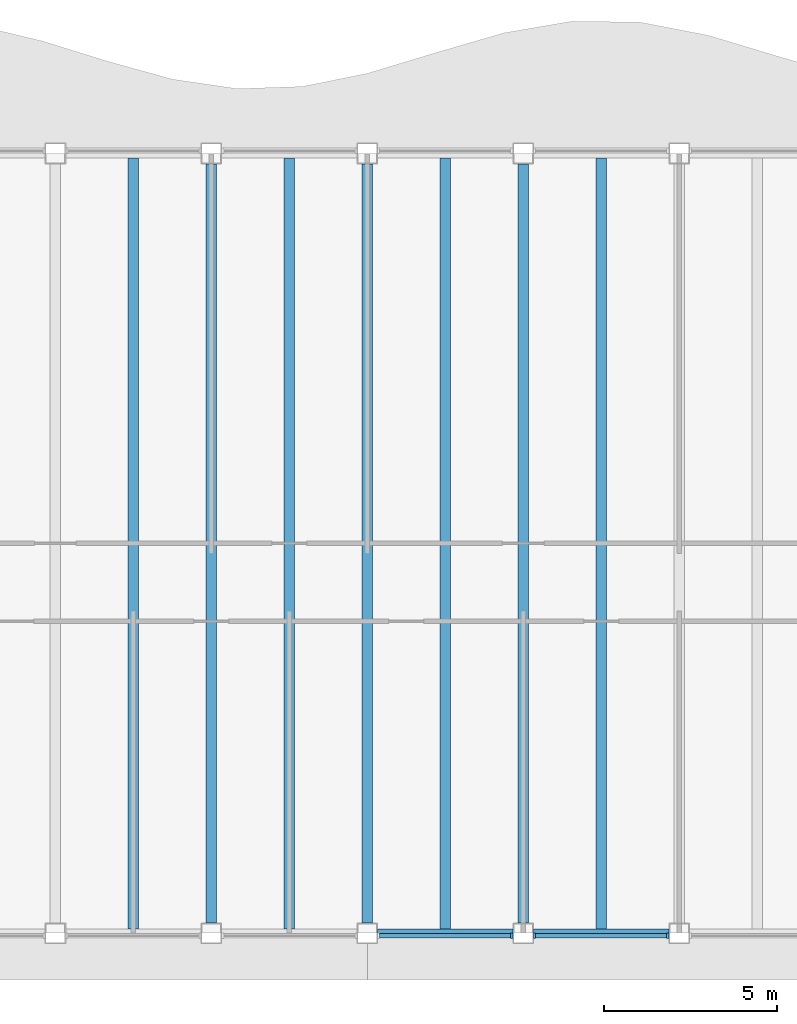
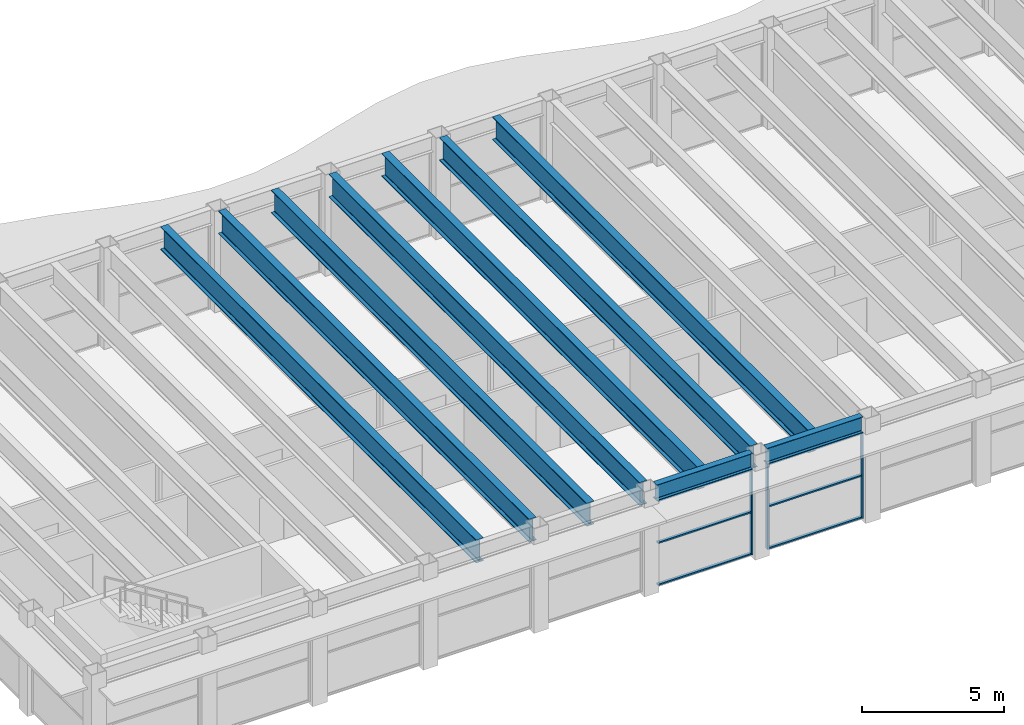
# One storey, part 3 of 14: 9 beams, 9 members, 2 elements without a shape of their own.
"""IFC4 building model written with IfcOpenShell, lengths in metres."""

from ifc_helpers import new_model, si_unit, direction, frame, origin, origin_2d, place, context, subcontext, project, spatial, rectangle, i_section, extrude, material, material_profile, profile_set, type_object, element, aggregate, save


model = new_model("IFC4")

# Units and contexts
model_context = context("Model", 3, precision=1e-05, world=origin(), true_north=direction((0.0, 1.0)))
body_context = subcontext(model_context, "Body", "Model", "MODEL_VIEW")
ifc_project = project(units=[si_unit("LENGTHUNIT", "METRE"), si_unit("AREAUNIT", "SQUARE_METRE"), si_unit("VOLUMEUNIT", "CUBIC_METRE"), si_unit("PLANEANGLEUNIT", "RADIAN"), si_unit("MASSUNIT", "GRAM", prefix="KILO")], contexts=[model_context])

# Site, building, storey
site_placement = place(None, origin())
site = spatial("IfcSite", under=ifc_project, at=site_placement, CompositionType="ELEMENT")
building_placement = place(site_placement, origin())
building = spatial("IfcBuilding", under=site, at=building_placement, Name="Sennacour Bend Tower", CompositionType="ELEMENT")
storey_placement = place(building_placement, frame((0.0, 0.0, 327.5)))
storey = spatial("IfcBuildingStorey", under=building, at=storey_placement, Name="L75", CompositionType="ELEMENT", Elevation=327.5)

# Curtain wall, member
ifc_material_1 = material(Name="Bronze anodised aluminium curtain wall with clear glass", Category="aluminium")
curtain_wall_type = type_object("IfcCurtainWallType", Name="CURTAIN WALL EXEC", PredefinedType="NOTDEFINED", material=ifc_material_1)
curtain_wall_1_placement = place(storey_placement, origin())
curtain_wall_1 = element("IfcCurtainWall", 1, at=curtain_wall_1_placement, inside=storey, type_object=curtain_wall_type, Name="Executive floor glass wall L75", PredefinedType="NOTDEFINED")
ifc_material_2 = material(Name="Aluminium 6063-T6", Category="aluminium")
ifc_material_profile_1 = material_profile(ifc_material_2, rectangle(XDim=0.14990234375, YDim=0.06005859375, at=origin_2d()), Name="Aluminium 6063-T6", Category="aluminium")
ifc_profile_set_1 = profile_set([ifc_material_profile_1], Name="Aluminium 6063-T6")
member_type_1 = type_object("IfcMemberType", Name="CW-MULLION-150X60", PredefinedType="MULLION", material=ifc_profile_set_1)
member_1_placement = place(storey_placement, frame((26.669921875, -0.074951171875, 0.0), z_axis=(0.0, 0.0, 1.0), x_axis=(0.0, 1.0, 0.0)))
member_1 = element("IfcMember", 2, at=member_1_placement, type_object=member_type_1, Name="GW3 curtain wall mullion 2", PredefinedType="MULLION", context=body_context, shape_type="SweptSolid", body=[
    extrude(rectangle(XDim=0.14990234375, YDim=0.06005859375, at=origin_2d()), origin(), (0.0, 0.0, 1.0), 3.672119140625),
])

# Curtain wall, members
curtain_wall_2_placement = place(storey_placement, origin())
curtain_wall_2 = element("IfcCurtainWall", 3, at=curtain_wall_2_placement, inside=storey, type_object=curtain_wall_type, Name="Executive floor glass wall L75", PredefinedType="NOTDEFINED")
member_2_placement = place(storey_placement, frame((27.330078125, -0.074951171875, 0.0), z_axis=(0.0, 0.0, 1.0), x_axis=(0.0, 1.0, 0.0)))
member_2 = element("IfcMember", 4, at=member_2_placement, type_object=member_type_1, Name="GW3 curtain wall mullion 1", PredefinedType="MULLION", context=body_context, shape_type="SweptSolid", body=[
    extrude(rectangle(XDim=0.14990234375, YDim=0.06005859375, at=origin_2d()), origin(), (0.0, 0.0, 1.0), 3.672119140625),
])
member_3_placement = place(storey_placement, frame((31.169921875, -0.074951171875, 0.0), z_axis=(0.0, 0.0, 1.0), x_axis=(0.0, 1.0, 0.0)))
member_3 = element("IfcMember", 5, at=member_3_placement, type_object=member_type_1, Name="GW3 curtain wall mullion 2", PredefinedType="MULLION", context=body_context, shape_type="SweptSolid", body=[
    extrude(rectangle(XDim=0.14990234375, YDim=0.06005859375, at=origin_2d()), origin(), (0.0, 0.0, 1.0), 3.672119140625),
])

# Member
ifc_material_profile_2 = material_profile(ifc_material_2, rectangle(XDim=0.1201171875, YDim=0.06005859375, at=origin_2d()), Name="Aluminium 6063-T6", Category="aluminium")
ifc_profile_set_2 = profile_set([ifc_material_profile_2], Name="Aluminium 6063-T6")
member_type_2 = type_object("IfcMemberType", Name="CW-TRANSOM-120X60", PredefinedType="USERDEFINED", material=ifc_profile_set_2)
member_4_placement = place(storey_placement, frame((22.860107421875, -0.074951171875, 0.030029296875), z_axis=(1.0, 0.0, 0.0), x_axis=(0.0, 1.0, 0.0)))
member_4 = element("IfcMember", 6, at=member_4_placement, type_object=member_type_2, Name="GW3 curtain wall transom 1.1", ObjectType="TRANSOM", PredefinedType="USERDEFINED", context=body_context, shape_type="SweptSolid", body=[
    extrude(rectangle(XDim=0.1201171875, YDim=0.06005859375, at=origin_2d()), origin(), (0.0, 0.0, 1.0), 3.77978515625),
])

member_5_placement = place(storey_placement, frame((22.860107421875, -0.074951171875, 1.8359375), z_axis=(1.0, 0.0, 0.0), x_axis=(0.0, 1.0, 0.0)))
member_5 = element("IfcMember", 7, at=member_5_placement, type_object=member_type_2, Name="GW3 curtain wall transom 1.2", ObjectType="TRANSOM", PredefinedType="USERDEFINED", context=body_context, shape_type="SweptSolid", body=[
    extrude(rectangle(XDim=0.1201171875, YDim=0.06005859375, at=origin_2d()), origin(), (0.0, 0.0, 1.0), 3.77978515625),
])

member_6_placement = place(storey_placement, frame((22.860107421875, -0.074951171875, 3.64208984375), z_axis=(1.0, 0.0, 0.0), x_axis=(0.0, 1.0, 0.0)))
member_6 = element("IfcMember", 8, at=member_6_placement, type_object=member_type_2, Name="GW3 curtain wall transom 1.3", ObjectType="TRANSOM", PredefinedType="USERDEFINED", context=body_context, shape_type="SweptSolid", body=[
    extrude(rectangle(XDim=0.1201171875, YDim=0.06005859375, at=origin_2d()), origin(), (0.0, 0.0, 1.0), 3.77978515625),
])

aggregate(curtain_wall_1, [member_1, member_4, member_5, member_6])

member_7_placement = place(storey_placement, frame((27.360107421875, -0.074951171875, 0.030029296875), z_axis=(1.0, 0.0, 0.0), x_axis=(0.0, 1.0, 0.0)))
member_7 = element("IfcMember", 9, at=member_7_placement, type_object=member_type_2, Name="GW3 curtain wall transom 1.1", ObjectType="TRANSOM", PredefinedType="USERDEFINED", context=body_context, shape_type="SweptSolid", body=[
    extrude(rectangle(XDim=0.1201171875, YDim=0.06005859375, at=origin_2d()), origin(), (0.0, 0.0, 1.0), 3.77978515625),
])

member_8_placement = place(storey_placement, frame((27.360107421875, -0.074951171875, 1.8359375), z_axis=(1.0, 0.0, 0.0), x_axis=(0.0, 1.0, 0.0)))
member_8 = element("IfcMember", 10, at=member_8_placement, type_object=member_type_2, Name="GW3 curtain wall transom 1.2", ObjectType="TRANSOM", PredefinedType="USERDEFINED", context=body_context, shape_type="SweptSolid", body=[
    extrude(rectangle(XDim=0.1201171875, YDim=0.06005859375, at=origin_2d()), origin(), (0.0, 0.0, 1.0), 3.77978515625),
])

member_9_placement = place(storey_placement, frame((27.360107421875, -0.074951171875, 3.64208984375), z_axis=(1.0, 0.0, 0.0), x_axis=(0.0, 1.0, 0.0)))
member_9 = element("IfcMember", 11, at=member_9_placement, type_object=member_type_2, Name="GW3 curtain wall transom 1.3", ObjectType="TRANSOM", PredefinedType="USERDEFINED", context=body_context, shape_type="SweptSolid", body=[
    extrude(rectangle(XDim=0.1201171875, YDim=0.06005859375, at=origin_2d()), origin(), (0.0, 0.0, 1.0), 3.77978515625),
])

aggregate(curtain_wall_2, [member_2, member_3, member_7, member_8, member_9])

# Beams
ifc_material_3 = material(Name="Steel ASTM A992 Grade 50", Category="steel")
ifc_material_profile_3 = material_profile(ifc_material_3, i_section(OverallWidth=0.300048828125, OverallDepth=0.990966796875, WebThickness=0.0166015625, FlangeThickness=0.030517578125, FilletRadius=0.030029296875, at=origin_2d()), Name="Steel ASTM A992 Grade 50", Category="steel")
ifc_profile_set_3 = profile_set([ifc_material_profile_3], Name="Steel ASTM A992 Grade 50")
beam_type_1 = type_object("IfcBeamType", Name="Floor beam W1000X272", PredefinedType="BEAM", material=ifc_profile_set_3)
beam_1_placement = place(storey_placement, frame((15.75, 0.126953125, 3.8544921875), z_axis=(0.0, 1.0, 0.0), x_axis=(-1.0, 0.0, 0.0)))
element("IfcBeam", 12, at=beam_1_placement, inside=storey, type_object=beam_type_1, Name="Floor beam FBM3 L76-007", PredefinedType="BEAM", context=body_context, shape_type="SweptSolid", body=[
    extrude(i_section(OverallWidth=0.300048828125, OverallDepth=0.990966796875, WebThickness=0.0166015625, FlangeThickness=0.030517578125, FilletRadius=0.030029296875, at=origin_2d()), origin(), (0.0, 0.0, 1.0), 22.24609375),
])
beam_2_placement = place(storey_placement, frame((18.0, 0.300048828125, 3.8544921875), z_axis=(0.0, 1.0, 0.0), x_axis=(-1.0, 0.0, 0.0)))
element("IfcBeam", 13, at=beam_2_placement, inside=storey, type_object=beam_type_1, Name="Floor beam FBM3 L76-008", PredefinedType="BEAM", context=body_context, shape_type="SweptSolid", body=[
    extrude(i_section(OverallWidth=0.300048828125, OverallDepth=0.990966796875, WebThickness=0.0166015625, FlangeThickness=0.030517578125, FilletRadius=0.030029296875, at=origin_2d()), origin(), (0.0, 0.0, 1.0), 21.89990234375),
])
beam_3_placement = place(storey_placement, frame((20.25, 0.126953125, 3.8544921875), z_axis=(0.0, 1.0, 0.0), x_axis=(-1.0, 0.0, 0.0)))
element("IfcBeam", 14, at=beam_3_placement, inside=storey, type_object=beam_type_1, Name="Floor beam FBM3 L76-009", PredefinedType="BEAM", context=body_context, shape_type="SweptSolid", body=[
    extrude(i_section(OverallWidth=0.300048828125, OverallDepth=0.990966796875, WebThickness=0.0166015625, FlangeThickness=0.030517578125, FilletRadius=0.030029296875, at=origin_2d()), origin(), (0.0, 0.0, 1.0), 22.24609375),
])
beam_4_placement = place(storey_placement, frame((22.5, 0.300048828125, 3.8544921875), z_axis=(0.0, 1.0, 0.0), x_axis=(-1.0, 0.0, 0.0)))
element("IfcBeam", 15, at=beam_4_placement, inside=storey, type_object=beam_type_1, Name="Floor beam FBM3 L76-010", PredefinedType="BEAM", context=body_context, shape_type="SweptSolid", body=[
    extrude(i_section(OverallWidth=0.300048828125, OverallDepth=0.990966796875, WebThickness=0.0166015625, FlangeThickness=0.030517578125, FilletRadius=0.030029296875, at=origin_2d()), origin(), (0.0, 0.0, 1.0), 21.89990234375),
])
beam_5_placement = place(storey_placement, frame((24.75, 0.126953125, 3.8544921875), z_axis=(0.0, 1.0, 0.0), x_axis=(-1.0, 0.0, 0.0)))
element("IfcBeam", 16, at=beam_5_placement, inside=storey, type_object=beam_type_1, Name="Floor beam FBM3 L76-011", PredefinedType="BEAM", context=body_context, shape_type="SweptSolid", body=[
    extrude(i_section(OverallWidth=0.300048828125, OverallDepth=0.990966796875, WebThickness=0.0166015625, FlangeThickness=0.030517578125, FilletRadius=0.030029296875, at=origin_2d()), origin(), (0.0, 0.0, 1.0), 22.24609375),
])
beam_6_placement = place(storey_placement, frame((27.0, 0.300048828125, 3.8544921875), z_axis=(0.0, 1.0, 0.0), x_axis=(-1.0, 0.0, 0.0)))
element("IfcBeam", 17, at=beam_6_placement, inside=storey, type_object=beam_type_1, Name="Floor beam FBM3 L76-012", PredefinedType="BEAM", context=body_context, shape_type="SweptSolid", body=[
    extrude(i_section(OverallWidth=0.300048828125, OverallDepth=0.990966796875, WebThickness=0.0166015625, FlangeThickness=0.030517578125, FilletRadius=0.030029296875, at=origin_2d()), origin(), (0.0, 0.0, 1.0), 21.89990234375),
])
beam_7_placement = place(storey_placement, frame((29.25, 0.126953125, 3.8544921875), z_axis=(0.0, 1.0, 0.0), x_axis=(-1.0, 0.0, 0.0)))
element("IfcBeam", 18, at=beam_7_placement, inside=storey, type_object=beam_type_1, Name="Floor beam FBM3 L76-013", PredefinedType="BEAM", context=body_context, shape_type="SweptSolid", body=[
    extrude(i_section(OverallWidth=0.300048828125, OverallDepth=0.990966796875, WebThickness=0.0166015625, FlangeThickness=0.030517578125, FilletRadius=0.030029296875, at=origin_2d()), origin(), (0.0, 0.0, 1.0), 22.24609375),
])
ifc_material_profile_4 = material_profile(ifc_material_3, i_section(OverallWidth=0.25390625, OverallDepth=0.677978515625, WebThickness=0.01171875, FlangeThickness=0.016357421875, FilletRadius=0.01513671875, at=origin_2d()), Name="Steel ASTM A992 Grade 50", Category="steel")
ifc_profile_set_4 = profile_set([ifc_material_profile_4], Name="Steel ASTM A992 Grade 50")
beam_type_2 = type_object("IfcBeamType", Name="Spandrel beam W690X125", PredefinedType="SPANDREL", material=ifc_profile_set_4)
for number, where, z_axis, x_axis, name in (
    (19, (31.199951171875, 0.0, 4.010986328125), (-1.0, 0.0, 0.0), (0.0, -1.0, 0.0), "Spandrel beam SP7 L76-023"),
    (20, (26.699951171875, 0.0, 4.010986328125), (-1.0, 0.0, 0.0), (0.0, -1.0, 0.0), "Spandrel beam SP7 L76-024"),
):
    element("IfcBeam", number, at=place(storey_placement, frame(where, z_axis=z_axis, x_axis=x_axis)), inside=storey, type_object=beam_type_2, Name=name, PredefinedType="SPANDREL", context=body_context, shape_type="SweptSolid", body=[
        extrude(i_section(OverallWidth=0.25390625, OverallDepth=0.677978515625, WebThickness=0.01171875, FlangeThickness=0.016357421875, FilletRadius=0.01513671875, at=origin_2d()), origin(), (0.0, 0.0, 1.0), 3.89990234375),
    ])

save(model, "model.ifc")
